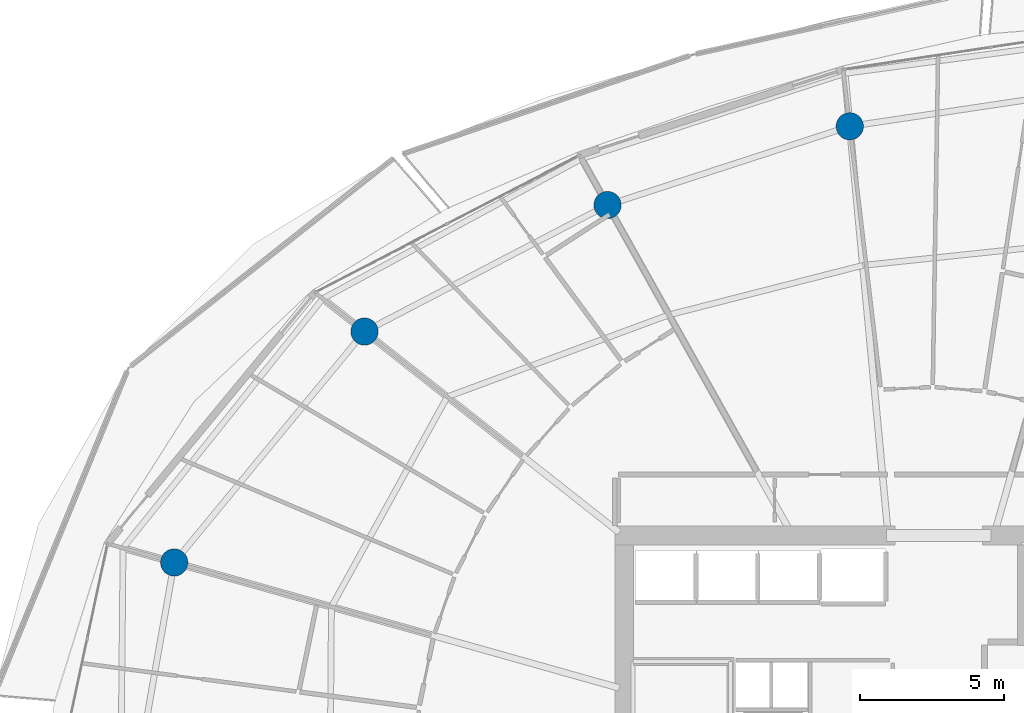
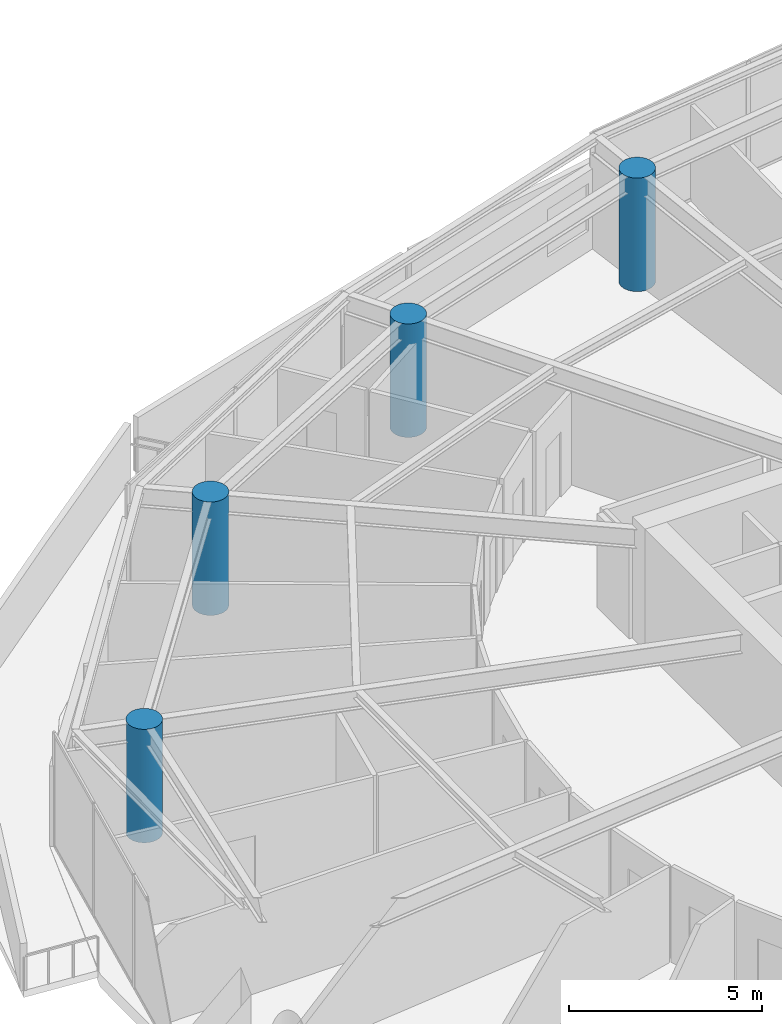
# One storey, part 4 of 30: 4 columns.
"""IFC4 building model written with IfcOpenShell, lengths in metres."""

from ifc_helpers import new_model, si_unit, direction, frame, origin, origin_2d, place, context, subcontext, project, spatial, circle, extrude, material, material_profile, profile_set, type_object, element, save


model = new_model("IFC4")

# Units and contexts
model_context = context("Model", 3, precision=1e-05, world=origin(), true_north=direction((0.0, 1.0)))
body_context = subcontext(model_context, "Body", "Model", "MODEL_VIEW")
ifc_project = project(units=[si_unit("LENGTHUNIT", "METRE"), si_unit("AREAUNIT", "SQUARE_METRE"), si_unit("VOLUMEUNIT", "CUBIC_METRE"), si_unit("PLANEANGLEUNIT", "RADIAN"), si_unit("MASSUNIT", "GRAM", prefix="KILO")], contexts=[model_context])

# Site, building, storey
site_placement = place(None, origin())
site = spatial("IfcSite", under=ifc_project, at=site_placement, CompositionType="ELEMENT")
building_placement = place(site_placement, origin())
building = spatial("IfcBuilding", under=site, at=building_placement, Name="Kazma Halo Residences", CompositionType="ELEMENT")
storey_placement = place(building_placement, frame((0.0, 0.0, 236.699951171875)))
storey = spatial("IfcBuildingStorey", under=building, at=storey_placement, Name="L59", CompositionType="ELEMENT", Elevation=236.699951171875)

# Columns
ifc_material = material(Name="Concrete C60/75", Category="concrete")
ifc_material_profile = material_profile(ifc_material, circle(Radius=0.47509765625, at=origin_2d()), Name="CIRC950")
ifc_profile_set = profile_set([ifc_material_profile], Name="Concrete C60/75")
column_type = type_object("IfcColumnType", Name="COL-PERIM-950", PredefinedType="COLUMN", material=ifc_profile_set)
for number, where, z_axis, x_axis, name in (
    (1, (45.32861328125, 64.57080078125, 0.0), (0.0, 0.0, 1.0), (1.0, 0.0, 0.0), "L59 perimeter ring column P04"),
    (2, (36.89453125, 61.830322265625, 0.0), (0.0, 0.0, 1.0), (1.0, 0.0, 0.0), "L59 perimeter ring column P05"),
    (3, (28.433837890625, 57.4248046875, 0.0), (0.0, 0.0, 1.0), (1.0, 0.0, 0.0), "L59 perimeter ring column P06"),
    (4, (21.80908203125, 49.38671875, 0.0), (0.0, 0.0, 1.0), (1.0, 0.0, 0.0), "L59 perimeter ring column P07"),
):
    element("IfcColumn", number, at=place(storey_placement, frame(where, z_axis=z_axis, x_axis=x_axis)), inside=storey, type_object=column_type, Name=name, PredefinedType="COLUMN", context=body_context, shape_type="SweptSolid", body=[
        extrude(circle(Radius=0.47509765625, at=origin_2d()), origin(), (0.0, 0.0, 1.0), 3.590087890625),
    ])

save(model, "model.ifc")
